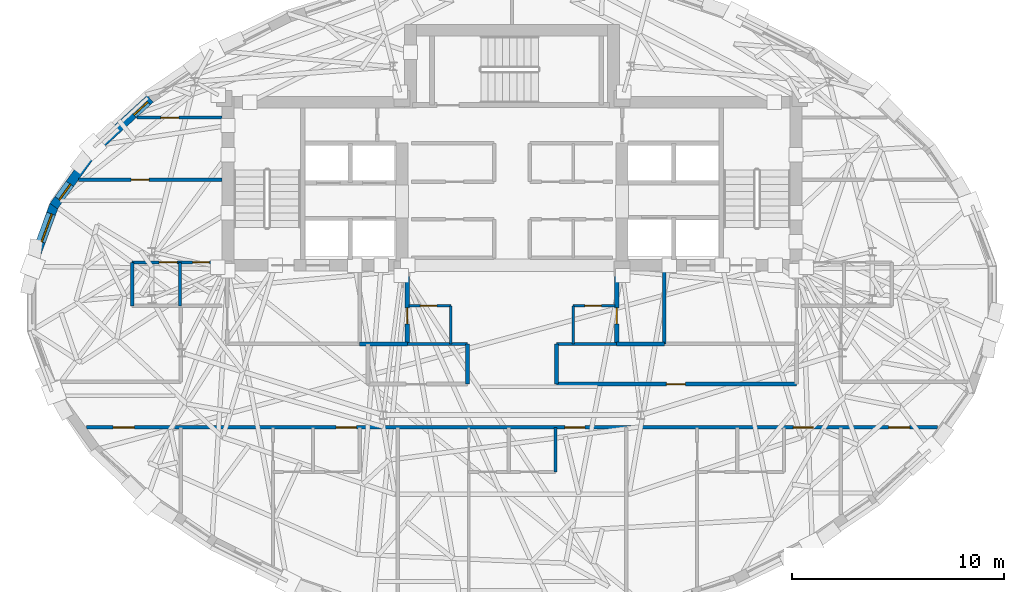
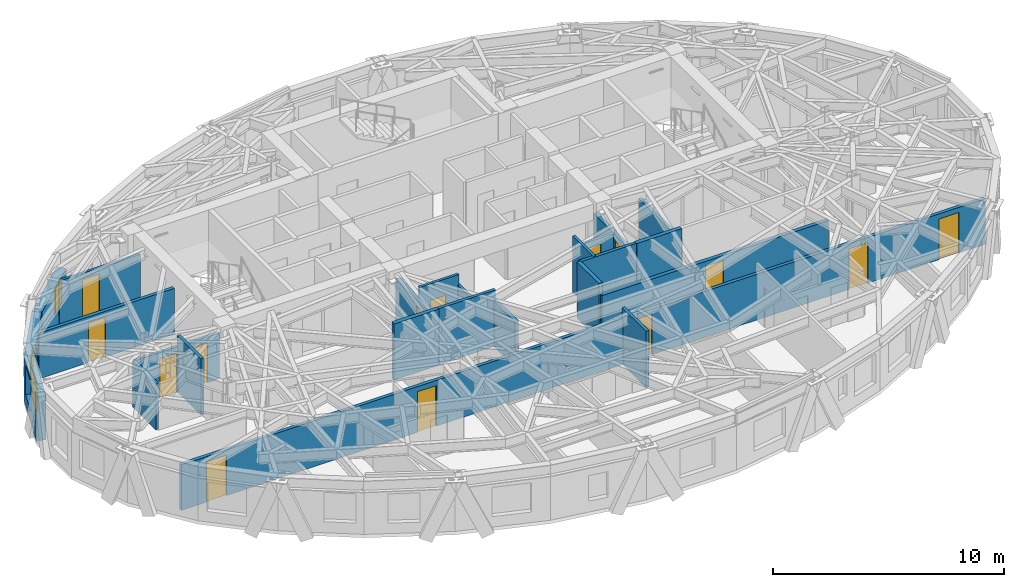
# One storey, part 7 of 14: 24 walls, 14 doors, 3 windows, 17 openings.
"""IFC4 building model written with IfcOpenShell, lengths in metres."""

from ifc_helpers import new_model, si_unit, direction, frame, frame_2d, origin, place, context, subcontext, project, spatial, rectangle, extrude, material, layer, layer_set, type_object, element, fill, save


model = new_model("IFC4")

# Units and contexts
model_context = context("Model", 3, precision=1e-05, world=origin(), true_north=direction((0.0, 1.0)))
body_context = subcontext(model_context, "Body", "Model", "MODEL_VIEW")
ifc_project = project(units=[si_unit("LENGTHUNIT", "METRE"), si_unit("AREAUNIT", "SQUARE_METRE"), si_unit("VOLUMEUNIT", "CUBIC_METRE"), si_unit("PLANEANGLEUNIT", "RADIAN"), si_unit("MASSUNIT", "GRAM", prefix="KILO")], contexts=[model_context])

# Site, building, storey
site_placement = place(None, origin())
site = spatial("IfcSite", under=ifc_project, at=site_placement, CompositionType="ELEMENT")
building_placement = place(site_placement, origin())
building = spatial("IfcBuilding", under=site, at=building_placement, Name="Keldmark Tower", CompositionType="ELEMENT")
storey_placement = place(building_placement, frame((0.0, 0.0, 222.60009765625)))
storey = spatial("IfcBuildingStorey", under=building, at=storey_placement, Name="L62", CompositionType="ELEMENT", Elevation=222.60009765625)

# Wall
ifc_material_1 = material(Name="Heavy Acoustic Plumbing Chase Gypsum Assembly", Category="gypsum")
ifc_layer_1 = layer(ifc_material_1, 0.18994140625)
ifc_layer_set_1 = layer_set([ifc_layer_1], Name="Heavy Acoustic Plumbing Chase Gypsum Assembly")
wall_type_1 = type_object("IfcWallType", Name="Heavy Wet Wall 190 mm", PredefinedType="PLUMBINGWALL", material=ifc_layer_set_1)
wall_1_placement = place(storey_placement, frame((-2.10009765625, -4.050048828125, 0.0), z_axis=(0.0, 0.0, 1.0), x_axis=(0.0, 1.0, 0.0)))
element("IfcWall", 1, at=wall_1_placement, inside=storey, type_object=wall_type_1, Name="L62 Heavy Wet Wall 190 mm SPK-W-E", PredefinedType="PLUMBINGWALL", context=body_context, shape_type="SweptSolid", body=[
    extrude(rectangle(XDim=1.900146484375, YDim=0.18994140625, at=frame_2d((0.9501953125, 0.0))), origin(), (0.0, 0.0, 1.0), 2.4228515625),
])

# Wall, opening, door
wall_2_placement = place(storey_placement, frame((2.10009765625, -4.050048828125, 0.0), z_axis=(0.0, 0.0, 1.0), x_axis=(1.0, 0.0, 0.0)))
wall_2 = element("IfcWall", 2, at=wall_2_placement, inside=storey, type_object=wall_type_1, Name="L62 Heavy Wet Wall 190 mm SPK-E-S", PredefinedType="PLUMBINGWALL", context=body_context, shape_type="SweptSolid", body=[
    extrude(rectangle(XDim=11.349853515625, YDim=0.18994140625, at=frame_2d((5.6748046875, 0.0))), origin(), (0.0, 0.0, 1.0), 2.35693359375),
])
opening_1_placement = place(wall_2_placement, frame((5.199951171875, 0.0, 0.0)))
opening_1 = element("IfcOpeningElement", 3, at=opening_1_placement, cuts=wall_2, Name="Opening D-IN090", PredefinedType="OPENING", context=body_context, shape_type="SweptSolid", body=[
    extrude(rectangle(XDim=0.89990234375, YDim=2.10009765625, at=frame_2d((0.449951171875, 1.050048828125))), frame((0.0, 0.10498046875, 0.0), z_axis=(0.0, -1.0, 0.0), x_axis=(1.0, 0.0, 0.0)), (0.0, 0.0, 1.0), 0.2099609375),
])
ifc_material_2 = material(Name="Stained American White Oak Veneer", Category="wood")
door_type_1 = type_object("IfcDoorType", Name="Interior Door 900x2100", OperationType="NOTDEFINED", PredefinedType="DOOR", material=ifc_material_2)
door_1_placement = place(opening_1_placement, origin())
door_1 = element("IfcDoor", 4, at=door_1_placement, inside=storey, type_object=door_type_1, Name="L62 Interior Door 900x2100 D-SPKE1-L62", OperationType="SINGLE_SWING_RIGHT", OverallHeight=2.10009765625, OverallWidth=0.89990234375, PredefinedType="DOOR", context=body_context, shape_type="SweptSolid", body=[
    extrude(rectangle(XDim=0.89990234375, YDim=2.10009765625, at=frame_2d((0.449951171875, 1.050048828125))), frame((0.0, 0.02490234375, 0.0), z_axis=(0.0, -1.0, 0.0), x_axis=(1.0, 0.0, 0.0)), (0.0, 0.0, 1.0), 0.050048828125),
])
fill(opening_1, door_1)

# Wall
wall_3_placement = place(storey_placement, frame((2.10009765625, -4.050048828125, 0.0), z_axis=(0.0, 0.0, 1.0), x_axis=(0.0, 1.0, 0.0)))
element("IfcWall", 5, at=wall_3_placement, inside=storey, type_object=wall_type_1, Name="L62 Heavy Wet Wall 190 mm SPK-E-W", PredefinedType="PLUMBINGWALL", context=body_context, shape_type="SweptSolid", body=[
    extrude(rectangle(XDim=1.900146484375, YDim=0.18994140625, at=frame_2d((0.9501953125, 0.0))), origin(), (0.0, 0.0, 1.0), 2.969970703125),
])

# Wall, opening, door
ifc_material_3 = material(Name="Acoustic Gypsum Board Interior Partition", Category="gypsum")
ifc_layer_2 = layer(ifc_material_3, 0.1298828125)
ifc_layer_set_2 = layer_set([ifc_layer_2], Name="Acoustic Gypsum Board Interior Partition")
wall_type_2 = type_object("IfcWallType", Name="Interior Partition 130 mm", PredefinedType="PARTITIONING", material=ifc_layer_set_2)
wall_4_placement = place(storey_placement, frame((-4.8798828125, -0.35009765625, 0.0), z_axis=(0.0, 0.0, 1.0), x_axis=(1.0, 0.0, 0.0)))
wall_4 = element("IfcWall", 6, at=wall_4_placement, inside=storey, type_object=wall_type_2, Name="L62 Interior Partition 130 mm CSC-W-N", PredefinedType="PARTITIONING", context=body_context, shape_type="SweptSolid", body=[
    extrude(rectangle(XDim=1.989990234375, YDim=0.1298828125, at=frame_2d((0.9951171875, 0.0))), origin(), (0.0, 0.0, 1.0), 2.969970703125),
])
opening_2_placement = place(wall_4_placement, frame((0.550048828125, 0.0, 0.0)))
opening_2 = element("IfcOpeningElement", 7, at=opening_2_placement, cuts=wall_4, Name="Opening D-CL078", PredefinedType="OPENING", context=body_context, shape_type="SweptSolid", body=[
    extrude(rectangle(XDim=0.780029296875, YDim=2.10009765625, at=frame_2d((0.39013671875, 1.050048828125))), frame((0.0, 0.074951171875, 0.0), z_axis=(0.0, -1.0, 0.0), x_axis=(1.0, 0.0, 0.0)), (0.0, 0.0, 1.0), 0.14990234375),
])
ifc_material_4 = material(Name="Flush Utility Closet Timber Door", Category="wood")
door_type_2 = type_object("IfcDoorType", Name="Closet Door 780x2100", OperationType="NOTDEFINED", PredefinedType="DOOR", material=ifc_material_4)
door_2_placement = place(opening_2_placement, origin())
door_2 = element("IfcDoor", 8, at=door_2_placement, inside=storey, type_object=door_type_2, Name="L62 Closet Door 780x2100 D-CSCW1-L62", OperationType="SINGLE_SWING_LEFT", OverallHeight=2.10009765625, OverallWidth=0.780029296875, PredefinedType="DOOR", context=body_context, shape_type="SweptSolid", body=[
    extrude(rectangle(XDim=0.780029296875, YDim=2.10009765625, at=frame_2d((0.39013671875, 1.050048828125))), frame((0.0, 0.02490234375, 0.0), z_axis=(0.0, -1.0, 0.0), x_axis=(1.0, 0.0, 0.0)), (0.0, 0.0, 1.0), 0.050048828125),
])
fill(opening_2, door_2)

# Wall
wall_5_placement = place(storey_placement, frame((-2.889892578125, -2.14990234375, 0.0), z_axis=(0.0, 0.0, 1.0), x_axis=(0.0, 1.0, 0.0)))
element("IfcWall", 9, at=wall_5_placement, inside=storey, type_object=wall_type_2, Name="L62 Interior Partition 130 mm CSC-W-E", PredefinedType="PARTITIONING", context=body_context, shape_type="SweptSolid", body=[
    extrude(rectangle(XDim=1.7998046875, YDim=0.1298828125, at=frame_2d((0.89990234375, 0.0))), origin(), (0.0, 0.0, 1.0), 2.4228515625),
])

# Wall, opening, door
wall_6_placement = place(storey_placement, frame((2.889892578125, -0.35009765625, 0.0), z_axis=(0.0, 0.0, 1.0), x_axis=(1.0, 0.0, 0.0)))
wall_6 = element("IfcWall", 10, at=wall_6_placement, inside=storey, type_object=wall_type_2, Name="L62 Interior Partition 130 mm CSC-E-N", PredefinedType="PARTITIONING", context=body_context, shape_type="SweptSolid", body=[
    extrude(rectangle(XDim=1.989990234375, YDim=0.1298828125, at=frame_2d((0.9951171875, 0.0))), origin(), (0.0, 0.0, 1.0), 2.4228515625),
])
opening_3_placement = place(wall_6_placement, frame((0.550048828125, 0.0, 0.0)))
opening_3 = element("IfcOpeningElement", 11, at=opening_3_placement, cuts=wall_6, Name="Opening D-CL078", PredefinedType="OPENING", context=body_context, shape_type="SweptSolid", body=[
    extrude(rectangle(XDim=0.780029296875, YDim=2.10009765625, at=frame_2d((0.39013671875, 1.050048828125))), frame((0.0, 0.074951171875, 0.0), z_axis=(0.0, -1.0, 0.0), x_axis=(1.0, 0.0, 0.0)), (0.0, 0.0, 1.0), 0.14990234375),
])
door_3_placement = place(opening_3_placement, origin())
door_3 = element("IfcDoor", 12, at=door_3_placement, inside=storey, type_object=door_type_2, Name="L62 Closet Door 780x2100 D-CSCE1-L62", OperationType="SINGLE_SWING_RIGHT", OverallHeight=2.10009765625, OverallWidth=0.780029296875, PredefinedType="DOOR", context=body_context, shape_type="SweptSolid", body=[
    extrude(rectangle(XDim=0.780029296875, YDim=2.10009765625, at=frame_2d((0.39013671875, 1.050048828125))), frame((0.0, 0.02490234375, 0.0), z_axis=(0.0, -1.0, 0.0), x_axis=(1.0, 0.0, 0.0)), (0.0, 0.0, 1.0), 0.050048828125),
])
fill(opening_3, door_3)

# Wall
wall_7_placement = place(storey_placement, frame((2.889892578125, -2.14990234375, 0.0), z_axis=(0.0, 0.0, 1.0), x_axis=(0.0, 1.0, 0.0)))
element("IfcWall", 13, at=wall_7_placement, inside=storey, type_object=wall_type_2, Name="L62 Interior Partition 130 mm CSC-E-W", PredefinedType="PARTITIONING", context=body_context, shape_type="SweptSolid", body=[
    extrude(rectangle(XDim=1.7998046875, YDim=0.1298828125, at=frame_2d((0.89990234375, 0.0))), origin(), (0.0, 0.0, 1.0), 2.969970703125),
])

# Wall, opening, door
wall_8_placement = place(storey_placement, frame((-17.73681640625, 8.550048828125, 0.0), z_axis=(0.0, 0.0, 1.0), x_axis=(1.0, 0.0, 0.0)))
wall_8 = element("IfcWall", 14, at=wall_8_placement, inside=storey, type_object=wall_type_2, Name="L62 Interior Partition 130 mm UD-NDIV2", PredefinedType="PARTITIONING", context=body_context, shape_type="SweptSolid", body=[
    extrude(rectangle(XDim=4.036865234375, YDim=0.1298828125, at=frame_2d((2.0185546875, 0.0))), origin(), (0.0, 0.0, 1.0), 2.4228515625),
])
opening_4_placement = place(wall_8_placement, frame((1.13818359375, 0.0, 0.0)))
opening_4 = element("IfcOpeningElement", 15, at=opening_4_placement, cuts=wall_8, Name="Opening D-IN085", PredefinedType="OPENING", context=body_context, shape_type="SweptSolid", body=[
    extrude(rectangle(XDim=0.85009765625, YDim=2.10009765625, at=frame_2d((0.425048828125, 1.050048828125))), frame((0.0, 0.074951171875, 0.0), z_axis=(0.0, -1.0, 0.0), x_axis=(1.0, 0.0, 0.0)), (0.0, 0.0, 1.0), 0.14990234375),
])
ifc_material_5 = material(Name="Painted Architectural Wood", Category="wood")
door_type_3 = type_object("IfcDoorType", Name="Interior Door 850x2100", OperationType="NOTDEFINED", PredefinedType="DOOR", material=ifc_material_5)
door_4_placement = place(opening_4_placement, origin())
door_4 = element("IfcDoor", 16, at=door_4_placement, inside=storey, type_object=door_type_3, Name="L62 Interior Door 850x2100 D-UD-BR2-L62", OperationType="SINGLE_SWING_RIGHT", OverallHeight=2.10009765625, OverallWidth=0.85009765625, PredefinedType="DOOR", context=body_context, shape_type="SweptSolid", body=[
    extrude(rectangle(XDim=0.85009765625, YDim=2.10009765625, at=frame_2d((0.425048828125, 1.050048828125))), frame((0.0, 0.02490234375, 0.0), z_axis=(0.0, -1.0, 0.0), x_axis=(1.0, 0.0, 0.0)), (0.0, 0.0, 1.0), 0.050048828125),
])
fill(opening_4, door_4)

# Wall
ifc_material_6 = material(Name="Type X Fire-Rated Gypsum Partition Assembly", Category="gypsum")
ifc_layer_3 = layer(ifc_material_6, 0.1650390625)
ifc_layer_set_3 = layer_set([ifc_layer_3], Name="Type X Fire-Rated Gypsum Partition Assembly")
wall_type_3 = type_object("IfcWallType", Name="Rated Partition 165 mm", PredefinedType="PARTITIONING", material=ifc_layer_set_3)
wall_9_placement = place(storey_placement, frame((7.199951171875, -2.14990234375, 0.0), z_axis=(0.0, 0.0, 1.0), x_axis=(0.0, 1.0, 0.0)))
element("IfcWall", 17, at=wall_9_placement, inside=storey, type_object=wall_type_3, Name="L62 Rated Partition 165 mm FSAE-E-W", PredefinedType="PARTITIONING", context=body_context, shape_type="SweptSolid", body=[
    extrude(rectangle(XDim=3.5, YDim=0.1650390625, at=frame_2d((1.75, 0.0))), origin(), (0.0, 0.0, 1.0), 2.4228515625),
])

# Wall, openings, doors
wall_10_placement = place(storey_placement, frame((-20.123291015625, -6.10009765625, 0.0), z_axis=(0.0, 0.0, 1.0), x_axis=(1.0, 0.0, 0.0)))
wall_10 = element("IfcWall", 18, at=wall_10_placement, inside=storey, type_object=wall_type_3, Name="L62 Rated Partition 165 mm RCOR-S", PredefinedType="PARTITIONING", context=body_context, shape_type="SweptSolid", body=[
    extrude(rectangle(XDim=40.24658203125, YDim=0.1650390625, at=frame_2d((20.123291015625, 0.0))), origin(), (0.0, 0.0, 1.0), 2.4228515625),
])
opening_5_placement = place(wall_10_placement, frame((1.27490234375, 0.0, 0.0)))
opening_5 = element("IfcOpeningElement", 19, at=opening_5_placement, cuts=wall_10, Name="Opening D-FD100", PredefinedType="OPENING", context=body_context, shape_type="SweptSolid", body=[
    extrude(rectangle(XDim=1.0, YDim=2.14990234375, at=frame_2d((0.5, 1.074951171875))), frame((0.0, 0.092529296875, 0.0), z_axis=(0.0, -1.0, 0.0), x_axis=(1.0, 0.0, 0.0)), (0.0, 0.0, 1.0), 0.18505859375),
])
opening_6_placement = place(wall_10_placement, frame((37.922119140625, 0.0, 0.0)))
opening_6 = element("IfcOpeningElement", 20, at=opening_6_placement, cuts=wall_10, Name="Opening D-FD100", PredefinedType="OPENING", context=body_context, shape_type="SweptSolid", body=[
    extrude(rectangle(XDim=1.0, YDim=2.14990234375, at=frame_2d((0.5, 1.074951171875))), frame((0.0, 0.092529296875, 0.0), z_axis=(0.0, -1.0, 0.0), x_axis=(1.0, 0.0, 0.0)), (0.0, 0.0, 1.0), 0.18505859375),
])
opening_7_placement = place(wall_10_placement, frame((11.81298828125, 0.0, 0.0)))
opening_7 = element("IfcOpeningElement", 21, at=opening_7_placement, cuts=wall_10, Name="Opening D-AP095", PredefinedType="OPENING", context=body_context, shape_type="SweptSolid", body=[
    extrude(rectangle(XDim=0.949951171875, YDim=2.14990234375, at=frame_2d((0.47509765625, 1.074951171875))), frame((0.0, 0.092529296875, 0.0), z_axis=(0.0, -1.0, 0.0), x_axis=(1.0, 0.0, 0.0)), (0.0, 0.0, 1.0), 0.18505859375),
])
opening_8_placement = place(wall_10_placement, frame((22.623046875, 0.0, 0.0)))
opening_8 = element("IfcOpeningElement", 22, at=opening_8_placement, cuts=wall_10, Name="Opening D-AP095", PredefinedType="OPENING", context=body_context, shape_type="SweptSolid", body=[
    extrude(rectangle(XDim=0.949951171875, YDim=2.14990234375, at=frame_2d((0.47509765625, 1.074951171875))), frame((0.0, 0.092529296875, 0.0), z_axis=(0.0, -1.0, 0.0), x_axis=(1.0, 0.0, 0.0)), (0.0, 0.0, 1.0), 0.18505859375),
])
opening_9_placement = place(wall_10_placement, frame((33.423095703125, 0.0, 0.0)))
opening_9 = element("IfcOpeningElement", 23, at=opening_9_placement, cuts=wall_10, Name="Opening D-AP095", PredefinedType="OPENING", context=body_context, shape_type="SweptSolid", body=[
    extrude(rectangle(XDim=0.949951171875, YDim=2.14990234375, at=frame_2d((0.47509765625, 1.074951171875))), frame((0.0, 0.092529296875, 0.0), z_axis=(0.0, -1.0, 0.0), x_axis=(1.0, 0.0, 0.0)), (0.0, 0.0, 1.0), 0.18505859375),
])
ifc_material_7 = material(Name="Solid-Core Walnut Fire-Rated Entry Assembly", Category="wood")
door_type_4 = type_object("IfcDoorType", Name="Apartment Entry Door 950x2150", OperationType="NOTDEFINED", PredefinedType="DOOR", material=ifc_material_7)
door_5_placement = place(opening_7_placement, origin())
door_5 = element("IfcDoor", 24, at=door_5_placement, inside=storey, type_object=door_type_4, Name="L62 Apartment Entry Door 950x2150 D-UA-ENT-L62", OperationType="SINGLE_SWING_LEFT", OverallHeight=2.14990234375, OverallWidth=0.949951171875, PredefinedType="DOOR", context=body_context, shape_type="SweptSolid", body=[
    extrude(rectangle(XDim=0.949951171875, YDim=2.14990234375, at=frame_2d((0.47509765625, 1.074951171875))), frame((0.0, 0.02490234375, 0.0), z_axis=(0.0, -1.0, 0.0), x_axis=(1.0, 0.0, 0.0)), (0.0, 0.0, 1.0), 0.050048828125),
])
fill(opening_7, door_5)
door_6_placement = place(opening_8_placement, origin())
door_6 = element("IfcDoor", 25, at=door_6_placement, inside=storey, type_object=door_type_4, Name="L62 Apartment Entry Door 950x2150 D-UB-ENT-L62", OperationType="SINGLE_SWING_LEFT", OverallHeight=2.14990234375, OverallWidth=0.949951171875, PredefinedType="DOOR", context=body_context, shape_type="SweptSolid", body=[
    extrude(rectangle(XDim=0.949951171875, YDim=2.14990234375, at=frame_2d((0.47509765625, 1.074951171875))), frame((0.0, 0.02490234375, 0.0), z_axis=(0.0, -1.0, 0.0), x_axis=(1.0, 0.0, 0.0)), (0.0, 0.0, 1.0), 0.050048828125),
])
fill(opening_8, door_6)
door_7_placement = place(opening_9_placement, origin())
door_7 = element("IfcDoor", 26, at=door_7_placement, inside=storey, type_object=door_type_4, Name="L62 Apartment Entry Door 950x2150 D-UC-ENT-L62", OperationType="SINGLE_SWING_LEFT", OverallHeight=2.14990234375, OverallWidth=0.949951171875, PredefinedType="DOOR", context=body_context, shape_type="SweptSolid", body=[
    extrude(rectangle(XDim=0.949951171875, YDim=2.14990234375, at=frame_2d((0.47509765625, 1.074951171875))), frame((0.0, 0.02490234375, 0.0), z_axis=(0.0, -1.0, 0.0), x_axis=(1.0, 0.0, 0.0)), (0.0, 0.0, 1.0), 0.050048828125),
])
fill(opening_9, door_7)
ifc_material_8 = material(Name="Hollow Metal Fire-Rated Corridor Door", Category="metal")
door_type_5 = type_object("IfcDoorType", Name="Fire Door 1000x2150", OperationType="NOTDEFINED", PredefinedType="DOOR", material=ifc_material_8)
door_8_placement = place(opening_5_placement, origin())
door_8 = element("IfcDoor", 27, at=door_8_placement, inside=storey, type_object=door_type_5, Name="L62 Fire Door 1000x2150 D-RSCW-L62", OperationType="SINGLE_SWING_LEFT", OverallHeight=2.14990234375, OverallWidth=1.0, PredefinedType="DOOR", context=body_context, shape_type="SweptSolid", body=[
    extrude(rectangle(XDim=1.0, YDim=2.14990234375, at=frame_2d((0.5, 1.074951171875))), frame((0.0, 0.02490234375, 0.0), z_axis=(0.0, -1.0, 0.0), x_axis=(1.0, 0.0, 0.0)), (0.0, 0.0, 1.0), 0.050048828125),
])
fill(opening_5, door_8)
door_9_placement = place(opening_6_placement, origin())
door_9 = element("IfcDoor", 28, at=door_9_placement, inside=storey, type_object=door_type_5, Name="L62 Fire Door 1000x2150 D-RSCE-L62", OperationType="SINGLE_SWING_LEFT", OverallHeight=2.14990234375, OverallWidth=1.0, PredefinedType="DOOR", context=body_context, shape_type="SweptSolid", body=[
    extrude(rectangle(XDim=1.0, YDim=2.14990234375, at=frame_2d((0.5, 1.074951171875))), frame((0.0, 0.02490234375, 0.0), z_axis=(0.0, -1.0, 0.0), x_axis=(1.0, 0.0, 0.0)), (0.0, 0.0, 1.0), 0.050048828125),
])
fill(opening_6, door_9)

# Wall, opening, door
wall_11_placement = place(storey_placement, frame((-20.4853515625, 5.60009765625, 0.0), z_axis=(0.0, 0.0, 1.0), x_axis=(1.0, 0.0, 0.0)))
wall_11 = element("IfcWall", 29, at=wall_11_placement, inside=storey, type_object=wall_type_3, Name="L62 Rated Partition 165 mm RW-NDIV", PredefinedType="PARTITIONING", context=body_context, shape_type="SweptSolid", body=[
    extrude(rectangle(XDim=6.785400390625, YDim=0.1650390625, at=frame_2d((3.392578125, 0.0))), origin(), (0.0, 0.0, 1.0), 2.4228515625),
])
opening_10_placement = place(wall_11_placement, frame((2.481201171875, 0.0, 0.0)))
opening_10 = element("IfcOpeningElement", 30, at=opening_10_placement, cuts=wall_11, Name="Opening D-BR085", PredefinedType="OPENING", context=body_context, shape_type="SweptSolid", body=[
    extrude(rectangle(XDim=0.85009765625, YDim=2.10009765625, at=frame_2d((0.425048828125, 1.050048828125))), frame((0.0, 0.092529296875, 0.0), z_axis=(0.0, -1.0, 0.0), x_axis=(1.0, 0.0, 0.0)), (0.0, 0.0, 1.0), 0.18505859375),
])
ifc_material_9 = material(Name="Solid-Core Stained Walnut Wood", Category="wood")
door_type_6 = type_object("IfcDoorType", Name="Bedroom Door 850x2100", OperationType="NOTDEFINED", PredefinedType="DOOR", material=ifc_material_9)
door_10_placement = place(opening_10_placement, origin())
door_10 = element("IfcDoor", 31, at=door_10_placement, inside=storey, type_object=door_type_6, Name="L62 Bedroom Door 850x2100 D-UD-BR1-L62", OperationType="SINGLE_SWING_LEFT", OverallHeight=2.10009765625, OverallWidth=0.85009765625, PredefinedType="DOOR", context=body_context, shape_type="SweptSolid", body=[
    extrude(rectangle(XDim=0.85009765625, YDim=2.10009765625, at=frame_2d((0.425048828125, 1.050048828125))), frame((0.0, 0.02490234375, 0.0), z_axis=(0.0, -1.0, 0.0), x_axis=(1.0, 0.0, 0.0)), (0.0, 0.0, 1.0), 0.050048828125),
])
fill(opening_10, door_10)

# Wall
ifc_material_10 = material(Name="Fire-Resistant Type X Gypsum Shaftliner Coreboard", Category="gypsum")
ifc_layer_4 = layer(ifc_material_10, 0.199951171875)
ifc_layer_set_4 = layer_set([ifc_layer_4], Name="Fire-Resistant Type X Gypsum Shaftliner Coreboard")
wall_type_4 = type_object("IfcWallType", Name="Shaft Wall 200 mm", PredefinedType="SOLIDWALL", material=ifc_layer_set_4)
wall_12_placement = place(storey_placement, frame((-7.199951171875, -2.14990234375, 0.0), z_axis=(0.0, 0.0, 1.0), x_axis=(1.0, 0.0, 0.0)))
element("IfcWall", 32, at=wall_12_placement, inside=storey, type_object=wall_type_4, Name="L62 Shaft Wall 200 mm RIS-SW-S", PredefinedType="SOLIDWALL", context=body_context, shape_type="SweptSolid", body=[
    extrude(rectangle(XDim=2.25, YDim=0.199951171875, at=frame_2d((1.125, 0.0))), origin(), (0.0, 0.0, 1.0), 2.969970703125),
])

# Wall, opening, door
wall_13_placement = place(storey_placement, frame((-4.949951171875, -2.14990234375, 0.0), z_axis=(0.0, 0.0, 1.0), x_axis=(0.0, 1.0, 0.0)))
wall_13 = element("IfcWall", 33, at=wall_13_placement, inside=storey, type_object=wall_type_4, Name="L62 Shaft Wall 200 mm RIS-SW-E", PredefinedType="SOLIDWALL", context=body_context, shape_type="SweptSolid", body=[
    extrude(rectangle(XDim=3.5, YDim=0.199951171875, at=frame_2d((1.75, 0.0))), origin(), (0.0, 0.0, 1.0), 2.4228515625),
])
opening_11_placement = place(wall_13_placement, frame((0.949951171875, 0.0, 0.0)))
opening_11 = element("IfcOpeningElement", 34, at=opening_11_placement, cuts=wall_13, Name="Opening D-RS075", PredefinedType="OPENING", context=body_context, shape_type="SweptSolid", body=[
    extrude(rectangle(XDim=0.75, YDim=2.10009765625, at=frame_2d((0.375, 1.050048828125))), frame((0.0, 0.10986328125, 0.0), z_axis=(0.0, -1.0, 0.0), x_axis=(1.0, 0.0, 0.0)), (0.0, 0.0, 1.0), 0.219970703125),
])
ifc_material_11 = material(Name="Galvanized Fire-Rated Access Leaf", Category="metal")
door_type_7 = type_object("IfcDoorType", Name="Riser Access Door 750x2100", OperationType="NOTDEFINED", PredefinedType="DOOR", material=ifc_material_11)
door_11_placement = place(opening_11_placement, origin())
door_11 = element("IfcDoor", 35, at=door_11_placement, inside=storey, type_object=door_type_7, Name="L62 Riser Access Door 750x2100 D-RISSW-L62", OperationType="SINGLE_SWING_RIGHT", OverallHeight=2.10009765625, OverallWidth=0.75, PredefinedType="DOOR", context=body_context, shape_type="SweptSolid", body=[
    extrude(rectangle(XDim=0.75, YDim=2.10009765625, at=frame_2d((0.375, 1.050048828125))), frame((0.0, 0.02490234375, 0.0), z_axis=(0.0, -1.0, 0.0), x_axis=(1.0, 0.0, 0.0)), (0.0, 0.0, 1.0), 0.050048828125),
])
fill(opening_11, door_11)

# Wall
wall_14_placement = place(storey_placement, frame((4.949951171875, -2.14990234375, 0.0), z_axis=(0.0, 0.0, 1.0), x_axis=(1.0, 0.0, 0.0)))
element("IfcWall", 36, at=wall_14_placement, inside=storey, type_object=wall_type_4, Name="L62 Shaft Wall 200 mm RIS-SE-S", PredefinedType="SOLIDWALL", context=body_context, shape_type="SweptSolid", body=[
    extrude(rectangle(XDim=2.25, YDim=0.199951171875, at=frame_2d((1.125, 0.0))), origin(), (0.0, 0.0, 1.0), 2.969970703125),
])

# Wall, opening, door
wall_15_placement = place(storey_placement, frame((4.949951171875, -2.14990234375, 0.0), z_axis=(0.0, 0.0, 1.0), x_axis=(0.0, 1.0, 0.0)))
wall_15 = element("IfcWall", 37, at=wall_15_placement, inside=storey, type_object=wall_type_4, Name="L62 Shaft Wall 200 mm RIS-SE-W", PredefinedType="SOLIDWALL", context=body_context, shape_type="SweptSolid", body=[
    extrude(rectangle(XDim=3.5, YDim=0.199951171875, at=frame_2d((1.75, 0.0))), origin(), (0.0, 0.0, 1.0), 2.4228515625),
])
opening_12_placement = place(wall_15_placement, frame((0.949951171875, 0.0, 0.0)))
opening_12 = element("IfcOpeningElement", 38, at=opening_12_placement, cuts=wall_15, Name="Opening D-RS075", PredefinedType="OPENING", context=body_context, shape_type="SweptSolid", body=[
    extrude(rectangle(XDim=0.75, YDim=2.10009765625, at=frame_2d((0.375, 1.050048828125))), frame((0.0, 0.10986328125, 0.0), z_axis=(0.0, -1.0, 0.0), x_axis=(1.0, 0.0, 0.0)), (0.0, 0.0, 1.0), 0.219970703125),
])
door_12_placement = place(opening_12_placement, origin())
door_12 = element("IfcDoor", 39, at=door_12_placement, inside=storey, type_object=door_type_7, Name="L62 Riser Access Door 750x2100 D-RISSE-L62", OperationType="SINGLE_SWING_LEFT", OverallHeight=2.10009765625, OverallWidth=0.75, PredefinedType="DOOR", context=body_context, shape_type="SweptSolid", body=[
    extrude(rectangle(XDim=0.75, YDim=2.10009765625, at=frame_2d((0.375, 1.050048828125))), frame((0.0, 0.02490234375, 0.0), z_axis=(0.0, -1.0, 0.0), x_axis=(1.0, 0.0, 0.0)), (0.0, 0.0, 1.0), 0.050048828125),
])
fill(opening_12, door_12)

# Wall, opening, window
ifc_material_12 = material(Name="Ironspot Manganese Brick and Kasota Buff Limestone Spandrel Assembly", Category="masonry")
ifc_layer_5 = layer(ifc_material_12, 0.43994140625)
ifc_layer_set_5 = layer_set([ifc_layer_5], Name="Ironspot Manganese Brick and Kasota Buff Limestone Spandrel Assembly")
wall_type_5 = type_object("IfcWallType", Name="Tower Brick Pier and Spandrel Wall 440 mm", PredefinedType="STANDARD", material=ifc_layer_set_5)
wall_16_placement = place(storey_placement, frame((-19.728271484375, 7.04248046875, 0.0), z_axis=(0.0, 0.0, 1.0), x_axis=(0.738907573949, 0.673806795129, 0.0)))
wall_16 = element("IfcWall", 40, at=wall_16_placement, inside=storey, type_object=wall_type_5, Name="L62 Exterior Brick and Spandrel Wall 13", PredefinedType="STANDARD", context=body_context, shape_type="SweptSolid", body=[
    extrude(rectangle(XDim=3.55517578125, YDim=0.43994140625, at=frame_2d((1.777587890625, 0.0))), origin(), (0.0, 0.0, 1.0), 2.3359375),
])
opening_13_placement = place(wall_16_placement, frame((2.4658203125, 0.0, 0.580078125)))
opening_13 = element("IfcOpeningElement", 41, at=opening_13_placement, cuts=wall_16, Name="Opening W-09", PredefinedType="OPENING", context=body_context, shape_type="SweptSolid", body=[
    extrude(rectangle(XDim=0.89990234375, YDim=1.35009765625, at=frame_2d((0.449951171875, 0.675048828125))), frame((0.0, 0.22998046875, 0.0), z_axis=(0.0, -1.0, 0.0), x_axis=(1.0, 0.0, 0.0)), (0.0, 0.0, 1.0), 0.4599609375),
])
ifc_material_13 = material(Name="Thermally Broken Anodized Aluminum and Triple Low-E Argon Glazing", Category="aluminium")
window_type_1 = type_object("IfcWindowType", Name="Corner Pier Deep-Set Window 900x1350", PartitioningType="SINGLE_PANEL", PredefinedType="WINDOW", material=ifc_material_13)
window_1_placement = place(opening_13_placement, origin())
window_1 = element("IfcWindow", 42, at=window_1_placement, inside=storey, type_object=window_type_1, Name="L62 Pier Window RM02", OverallHeight=1.35009765625, OverallWidth=0.89990234375, PartitioningType="SINGLE_PANEL", PredefinedType="WINDOW", context=body_context, shape_type="SweptSolid", body=[
    extrude(rectangle(XDim=0.89990234375, YDim=1.35009765625, at=frame_2d((0.449951171875, 0.675048828125))), frame((0.0, -0.010009765625, 0.0), z_axis=(0.0, -1.0, 0.0), x_axis=(1.0, 0.0, 0.0)), (0.0, 0.0, 1.0), 0.06005859375),
])
fill(opening_13, window_1)

wall_17_placement = place(storey_placement, frame((-21.661376953125, 4.364013671875, 0.0), z_axis=(0.0, 0.0, 1.0), x_axis=(0.586344849721, 0.810061551492, 0.0)))
wall_17 = element("IfcWall", 43, at=wall_17_placement, inside=storey, type_object=wall_type_5, Name="L62 Exterior Brick and Spandrel Wall 14", PredefinedType="STANDARD", context=body_context, shape_type="SweptSolid", body=[
    extrude(rectangle(XDim=3.34814453125, YDim=0.43994140625, at=frame_2d((1.674072265625, 0.0))), origin(), (0.0, 0.0, 1.0), 2.3359375),
])
opening_14_placement = place(wall_17_placement, frame((0.39990234375, 0.0, 0.580078125)))
opening_14 = element("IfcOpeningElement", 44, at=opening_14_placement, cuts=wall_17, Name="Opening W-09", PredefinedType="OPENING", context=body_context, shape_type="SweptSolid", body=[
    extrude(rectangle(XDim=0.89990234375, YDim=1.35009765625, at=frame_2d((0.449951171875, 0.675048828125))), frame((0.0, 0.22998046875, 0.0), z_axis=(0.0, -1.0, 0.0), x_axis=(1.0, 0.0, 0.0)), (0.0, 0.0, 1.0), 0.4599609375),
])
window_2_placement = place(opening_14_placement, origin())
window_2 = element("IfcWindow", 45, at=window_2_placement, inside=storey, type_object=window_type_1, Name="L62 Deep-Set Window 14", OverallHeight=1.35009765625, OverallWidth=0.89990234375, PartitioningType="SINGLE_PANEL", PredefinedType="WINDOW", context=body_context, shape_type="SweptSolid", body=[
    extrude(rectangle(XDim=0.89990234375, YDim=1.35009765625, at=frame_2d((0.449951171875, 0.675048828125))), frame((0.0, -0.010009765625, 0.0), z_axis=(0.0, -1.0, 0.0), x_axis=(1.0, 0.0, 0.0)), (0.0, 0.0, 1.0), 0.06005859375),
])
fill(opening_14, window_2)

wall_18_placement = place(storey_placement, frame((-22.727783203125, 1.45556640625, 0.0), z_axis=(0.0, 0.0, 1.0), x_axis=(0.346755155412, 0.937955682426, 0.0)))
wall_18 = element("IfcWall", 46, at=wall_18_placement, inside=storey, type_object=wall_type_5, Name="L62 Exterior Brick and Spandrel Wall 15", PredefinedType="STANDARD", context=body_context, shape_type="SweptSolid", body=[
    extrude(rectangle(XDim=3.156982421875, YDim=0.43994140625, at=frame_2d((1.57861328125, 0.0))), origin(), (0.0, 0.0, 1.0), 2.3359375),
])
opening_15_placement = place(wall_18_placement, frame((1.314697265625, 0.0, 0.580078125)))
opening_15 = element("IfcOpeningElement", 47, at=opening_15_placement, cuts=wall_18, Name="Opening W-08", PredefinedType="OPENING", context=body_context, shape_type="SweptSolid", body=[
    extrude(rectangle(XDim=1.39990234375, YDim=1.550048828125, at=frame_2d((0.699951171875, 0.77490234375))), frame((0.0, 0.22998046875, 0.0), z_axis=(0.0, -1.0, 0.0), x_axis=(1.0, 0.0, 0.0)), (0.0, 0.0, 1.0), 0.4599609375),
])
ifc_material_14 = material(Name="Thermally Broken Anodized Aluminum and Triple Low-E Argon Glazing", Category="aluminium")
window_type_2 = type_object("IfcWindowType", Name="Residential Corner Punched Window 1400x1550", PartitioningType="SINGLE_PANEL", PredefinedType="WINDOW", material=ifc_material_14)
window_3_placement = place(opening_15_placement, origin())
window_3 = element("IfcWindow", 48, at=window_3_placement, inside=storey, type_object=window_type_2, Name="L62 Deep-Set Window 15", OverallHeight=1.550048828125, OverallWidth=1.39990234375, PartitioningType="SINGLE_PANEL", PredefinedType="WINDOW", context=body_context, shape_type="SweptSolid", body=[
    extrude(rectangle(XDim=1.39990234375, YDim=1.550048828125, at=frame_2d((0.699951171875, 0.77490234375))), frame((0.0, -0.010009765625, 0.0), z_axis=(0.0, -1.0, 0.0), x_axis=(1.0, 0.0, 0.0)), (0.0, 0.0, 1.0), 0.06005859375),
])
fill(opening_15, window_3)

# Walls
ifc_material_15 = material(Name="Moisture-Resistant Gypsum Plumbing Partition", Category="gypsum")
ifc_layer_6 = layer(ifc_material_15, 0.14990234375)
ifc_layer_set_6 = layer_set([ifc_layer_6], Name="Moisture-Resistant Gypsum Plumbing Partition")
wall_type_6 = type_object("IfcWallType", Name="Wet Wall 150 mm", PredefinedType="PLUMBINGWALL", material=ifc_layer_set_6)
for number, where, z_axis, x_axis, name in (
    (49, (-4.949951171875, -2.14990234375, 0.0), (0.0, 0.0, 1.0), (1.0, 0.0, 0.0), "L62 Wet Wall 150 mm SPK-W-N"),
    (50, (2.10009765625, -2.14990234375, 0.0), (0.0, 0.0, 1.0), (1.0, 0.0, 0.0), "L62 Wet Wall 150 mm SPK-E-N"),
):
    element("IfcWall", number, at=place(storey_placement, frame(where, z_axis=z_axis, x_axis=x_axis)), inside=storey, type_object=wall_type_6, Name=name, PredefinedType="PLUMBINGWALL", context=body_context, shape_type="SweptSolid", body=[
        extrude(rectangle(XDim=2.849853515625, YDim=0.14990234375, at=frame_2d((1.4248046875, 0.0))), origin(), (0.0, 0.0, 1.0), 2.969970703125),
    ])
wall_19_placement = place(storey_placement, frame((2.050048828125, -8.199951171875, 0.0), z_axis=(0.0, 0.0, 1.0), x_axis=(0.0, 1.0, 0.0)))
element("IfcWall", 51, at=wall_19_placement, inside=storey, type_object=wall_type_6, Name="L62 Wet Wall 150 mm UB-BK-E", PredefinedType="PLUMBINGWALL", context=body_context, shape_type="SweptSolid", body=[
    extrude(rectangle(XDim=2.099853515625, YDim=0.14990234375, at=frame_2d((1.0498046875, 0.0))), origin(), (0.0, 0.0, 1.0), 2.969970703125),
])

# Wall, openings, doors
wall_20_placement = place(storey_placement, frame((-17.949951171875, 1.699951171875, 0.0), z_axis=(0.0, 0.0, 1.0), x_axis=(1.0, 0.0, 0.0)))
wall_20 = element("IfcWall", 52, at=wall_20_placement, inside=storey, type_object=wall_type_6, Name="L62 Wet Wall 150 mm UD-BK-N", PredefinedType="PLUMBINGWALL", context=body_context, shape_type="SweptSolid", body=[
    extrude(rectangle(XDim=4.25, YDim=0.14990234375, at=frame_2d((2.125, 0.0))), origin(), (0.0, 0.0, 1.0), 2.4228515625),
])
opening_16_placement = place(wall_20_placement, frame((2.85009765625, 0.0, 0.0)))
opening_16 = element("IfcOpeningElement", 53, at=opening_16_placement, cuts=wall_20, Name="Opening D-BT080", PredefinedType="OPENING", context=body_context, shape_type="SweptSolid", body=[
    extrude(rectangle(XDim=0.800048828125, YDim=2.10009765625, at=frame_2d((0.39990234375, 1.050048828125))), frame((0.0, 0.0849609375, 0.0), z_axis=(0.0, -1.0, 0.0), x_axis=(1.0, 0.0, 0.0)), (0.0, 0.0, 1.0), 0.169921875),
])
opening_17_placement = place(wall_20_placement, frame((1.27001953125, 0.0, 0.0)))
opening_17 = element("IfcOpeningElement", 54, at=opening_17_placement, cuts=wall_20, Name="Opening D-IN085", PredefinedType="OPENING", context=body_context, shape_type="SweptSolid", body=[
    extrude(rectangle(XDim=0.85009765625, YDim=2.10009765625, at=frame_2d((0.425048828125, 1.050048828125))), frame((0.0, 0.0849609375, 0.0), z_axis=(0.0, -1.0, 0.0), x_axis=(1.0, 0.0, 0.0)), (0.0, 0.0, 1.0), 0.169921875),
])
ifc_material_16 = material(Name="Moisture-Sealed Stained Wood", Category="wood")
door_type_8 = type_object("IfcDoorType", Name="Bathroom Door 800x2100", OperationType="NOTDEFINED", PredefinedType="DOOR", material=ifc_material_16)
door_13_placement = place(opening_16_placement, origin())
door_13 = element("IfcDoor", 55, at=door_13_placement, inside=storey, type_object=door_type_8, Name="L62 Bathroom Door 800x2100 D-UD-BATH-L62", OperationType="SINGLE_SWING_LEFT", OverallHeight=2.10009765625, OverallWidth=0.800048828125, PredefinedType="DOOR", context=body_context, shape_type="SweptSolid", body=[
    extrude(rectangle(XDim=0.800048828125, YDim=2.10009765625, at=frame_2d((0.39990234375, 1.050048828125))), frame((0.0, 0.02490234375, 0.0), z_axis=(0.0, -1.0, 0.0), x_axis=(1.0, 0.0, 0.0)), (0.0, 0.0, 1.0), 0.050048828125),
])
fill(opening_16, door_13)
door_14_placement = place(opening_17_placement, origin())
door_14 = element("IfcDoor", 56, at=door_14_placement, inside=storey, type_object=door_type_3, Name="L62 Interior Door 850x2100 D-UD-KIT-L62", OperationType="SINGLE_SWING_RIGHT", OverallHeight=2.10009765625, OverallWidth=0.85009765625, PredefinedType="DOOR", context=body_context, shape_type="SweptSolid", body=[
    extrude(rectangle(XDim=0.85009765625, YDim=2.10009765625, at=frame_2d((0.425048828125, 1.050048828125))), frame((0.0, 0.02490234375, 0.0), z_axis=(0.0, -1.0, 0.0), x_axis=(1.0, 0.0, 0.0)), (0.0, 0.0, 1.0), 0.050048828125),
])
fill(opening_17, door_14)

# Walls
wall_21_placement = place(storey_placement, frame((-15.699951171875, -0.35009765625, 0.0), z_axis=(0.0, 0.0, 1.0), x_axis=(0.0, 1.0, 0.0)))
element("IfcWall", 57, at=wall_21_placement, inside=storey, type_object=wall_type_6, Name="L62 Wet Wall 150 mm UD-BK-M", PredefinedType="PLUMBINGWALL", context=body_context, shape_type="SweptSolid", body=[
    extrude(rectangle(XDim=2.050048828125, YDim=0.14990234375, at=frame_2d((1.02490234375, 0.0))), origin(), (0.0, 0.0, 1.0), 2.969970703125),
])
wall_22_placement = place(storey_placement, frame((-17.949951171875, -0.35009765625, 0.0), z_axis=(0.0, 0.0, 1.0), x_axis=(0.0, 1.0, 0.0)))
element("IfcWall", 58, at=wall_22_placement, inside=storey, type_object=wall_type_6, Name="L62 Wet Wall 150 mm UD-BK-OUT", PredefinedType="PLUMBINGWALL", context=body_context, shape_type="SweptSolid", body=[
    extrude(rectangle(XDim=2.050048828125, YDim=0.14990234375, at=frame_2d((1.02490234375, 0.0))), origin(), (0.0, 0.0, 1.0), 2.4228515625),
])

save(model, "model.ifc")
